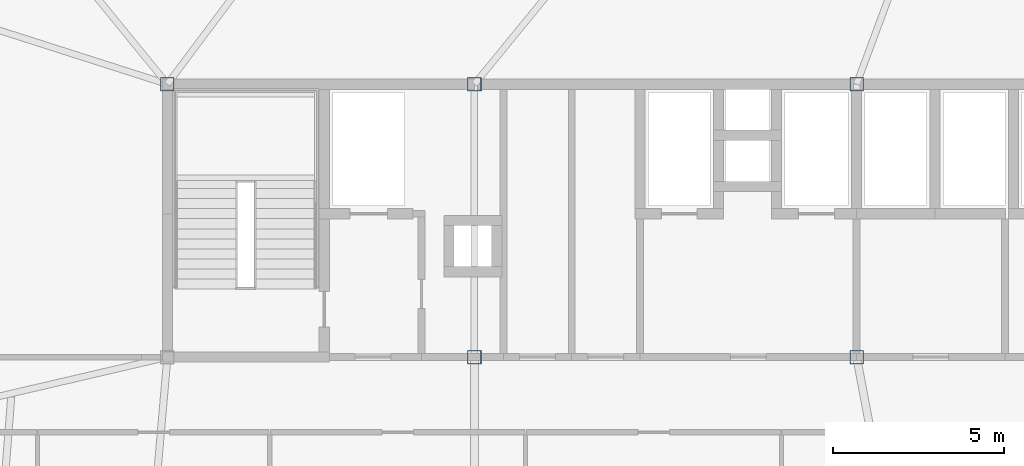
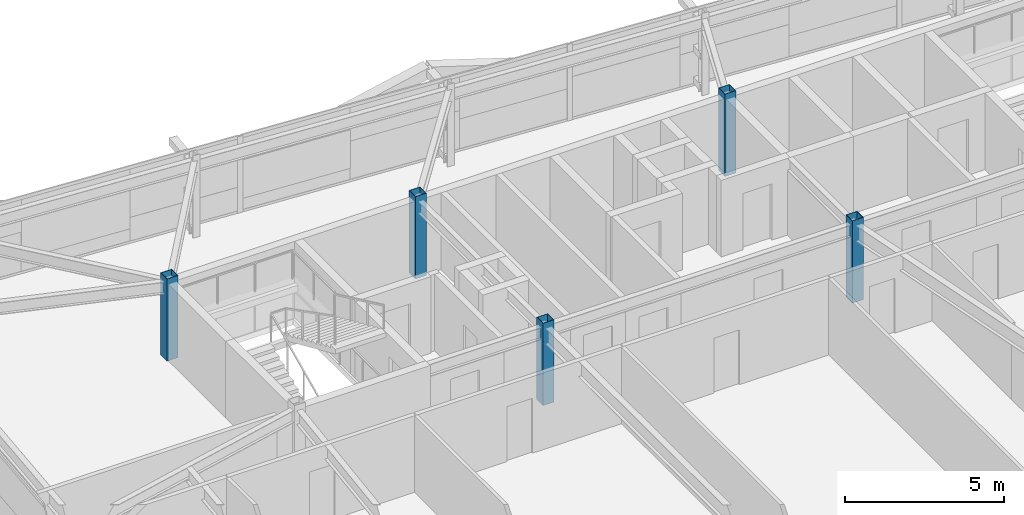
# One storey, part 2 of 39: 5 columns.
"""IFC4 building model written with IfcOpenShell, lengths in metres."""

import ifcopenshell
import ifcopenshell.guid

model = None  # the IFC model being written
_history = None  # IfcOwnerHistory: only IFC2X3 demands one
_inside = {}  # id of a spatial element -> (the spatial element, [elements in it])
_under = {}  # id of a project, library or spatial element -> (it, [spatial elements below it])
_declared = {}  # id of a project -> (the project, [libraries it declares])
_typed = {}  # id of a type object -> (the type object, [elements of that type])
_made_of = {}  # id of a material, layer set ... -> (it, [elements and type objects made of it])


def new_model(schema):
    """Start an empty IFC model of exactly this schema.

    Asked for "IFC4X3", IfcOpenShell would pick the latest addendum, in which some entities
    have other attributes; the version numbers below select the first issue.
    IFC2X3 requires an IfcOwnerHistory on every rooted entity: one is made here for all.
    """
    global model, _history
    if schema == "IFC4X3":
        model = ifcopenshell.file(schema_version=(4, 3, 0, 0))
    else:
        model = ifcopenshell.file(schema=schema)
    _inside.clear()
    _under.clear()
    _declared.clear()
    _typed.clear()
    _made_of.clear()
    _history = None
    if model.schema == "IFC2X3":
        org = make("IfcOrganization", Name="unknown")
        user = make(
            "IfcPersonAndOrganization",
            ThePerson=make("IfcPerson", FamilyName="unknown"),
            TheOrganization=org,
        )
        app = make(
            "IfcApplication",
            ApplicationDeveloper=org,
            Version="unknown",
            ApplicationFullName="unknown",
            ApplicationIdentifier="unknown",
        )
        _history = make(
            "IfcOwnerHistory",
            OwningUser=user,
            OwningApplication=app,
            ChangeAction="ADDED",
            CreationDate=0,
        )
    return model


def make(cls, **values):
    """One entity of the class cls with the attributes given. An attribute that is None is left unset."""
    return model.create_entity(
        cls, **{name: value for name, value in values.items() if value is not None}
    )


def rooted(cls, **values):
    """An entity with a GlobalId (a new one), such as an element, a storey or a relation."""
    return make(cls, GlobalId=ifcopenshell.guid.new(), OwnerHistory=_history, **values)


def si_unit(unit_type, name, prefix=None):
    """IfcSIUnit, for example si_unit("LENGTHUNIT", "METRE", prefix="MILLI")."""
    return make("IfcSIUnit", UnitType=unit_type, Prefix=prefix, Name=name)


def assignment(units):
    """IfcUnitAssignment: the units of a project."""
    return None if units is None else make("IfcUnitAssignment", Units=units)


def point(xyz):
    """IfcCartesianPoint."""
    return None if xyz is None else make("IfcCartesianPoint", Coordinates=xyz)


def direction(xyz):
    """IfcDirection."""
    return None if xyz is None else make("IfcDirection", DirectionRatios=xyz)


def frame(location, z_axis=None, x_axis=None):
    """IfcAxis2Placement3D, a coordinate frame: its origin and axes. An axis left out is left unset."""
    return make(
        "IfcAxis2Placement3D",
        Location=point(location),
        Axis=direction(z_axis),
        RefDirection=direction(x_axis),
    )


def frame_2d(location, x_axis=None):
    """IfcAxis2Placement2D, a coordinate frame in the plane: its origin and x axis."""
    return make(
        "IfcAxis2Placement2D", Location=point(location), RefDirection=direction(x_axis)
    )


def origin():
    """The frame at (0, 0, 0) with its axes left unset."""
    return frame((0.0, 0.0, 0.0))


def origin_2d():
    """The frame at (0, 0) in the plane with its x axis left unset."""
    return frame_2d((0.0, 0.0))


def place(relative_to, where):
    """IfcLocalPlacement: puts the frame where relative to a parent placement (None: the world)."""
    return make(
        "IfcLocalPlacement", PlacementRelTo=relative_to, RelativePlacement=where
    )


def context(
    kind, dimensions, precision=None, world=None, true_north=None, identifier=None
):
    """IfcGeometricRepresentationContext, for example the 3D "Model" context."""
    return make(
        "IfcGeometricRepresentationContext",
        ContextIdentifier=identifier,
        ContextType=kind,
        CoordinateSpaceDimension=dimensions,
        Precision=precision,
        WorldCoordinateSystem=world,
        TrueNorth=true_north,
    )


def subcontext(parent, identifier, kind, view, scale=None):
    """IfcGeometricRepresentationSubContext, for example "Body" below "Model"."""
    return make(
        "IfcGeometricRepresentationSubContext",
        ContextIdentifier=identifier,
        ContextType=kind,
        ParentContext=parent,
        TargetScale=scale,
        TargetView=view,
    )


def project(units=None, contexts=None):
    """IfcProject with its units and contexts."""
    return rooted(
        "IfcProject",
        Name="project",
        RepresentationContexts=contexts,
        UnitsInContext=assignment(units),
    )


def spatial(cls, under=None, at=None, **own):
    """A site, building, storey or space (cls), placed at a placement, below another one or the project."""
    s = rooted(cls, ObjectPlacement=at, **own)
    if under is not None:
        _under.setdefault(under.id(), (under, []))[1].append(s)
    return s


def profile(cls, at=None, kind="AREA", **sizes):
    """A parametric profile (cls). Its sizes go by their IFC names, for example OverallWidth=200.0."""
    return make(cls, ProfileType=kind, Position=at, **sizes)


def hollow_rectangle(**sizes):
    """IfcRectangleHollowProfileDef."""
    return profile("IfcRectangleHollowProfileDef", **sizes)


def extrude(swept, where, along, depth):
    """IfcExtrudedAreaSolid: the profile swept, set in the frame where, extruded along a direction by depth."""
    return make(
        "IfcExtrudedAreaSolid",
        SweptArea=swept,
        Position=where,
        ExtrudedDirection=direction(along),
        Depth=depth,
    )


def shape(context_of_items, identifier, shape_type, items):
    """IfcShapeRepresentation: the items that make up one representation, for example the "Body"."""
    return make(
        "IfcShapeRepresentation",
        ContextOfItems=context_of_items,
        RepresentationIdentifier=identifier,
        RepresentationType=shape_type,
        Items=items,
    )


def source(mapping_origin, context_of_items, identifier, shape_type, items):
    """IfcRepresentationMap: a shape defined once, which mapped items show again and again."""
    return make(
        "IfcRepresentationMap",
        MappingOrigin=mapping_origin,
        MappedRepresentation=shape(context_of_items, identifier, shape_type, items),
    )


def transform(
    local_origin,
    x_axis=None,
    y_axis=None,
    z_axis=None,
    scale=None,
    scale2=None,
    scale3=None,
    uniform=True,
):
    """IfcCartesianTransformationOperator3D, or its non-uniform kind. x_axis, y_axis, z_axis: its Axis1, 2, 3."""
    if uniform:
        return make(
            "IfcCartesianTransformationOperator3D",
            Axis1=direction(x_axis),
            Axis2=direction(y_axis),
            LocalOrigin=point(local_origin),
            Scale=scale,
            Axis3=direction(z_axis),
        )
    return make(
        "IfcCartesianTransformationOperator3DnonUniform",
        Axis1=direction(x_axis),
        Axis2=direction(y_axis),
        LocalOrigin=point(local_origin),
        Scale=scale,
        Axis3=direction(z_axis),
        Scale2=scale2,
        Scale3=scale3,
    )


def mapped(mapping_source, mapping_target):
    """IfcMappedItem: shows the shape of a source again, moved by a transform."""
    return make(
        "IfcMappedItem", MappingSource=mapping_source, MappingTarget=mapping_target
    )


def material(Name=None, Category=None):
    """IfcMaterial."""
    return make("IfcMaterial", Name=Name, Category=Category)


def material_profile(
    of_material, cross_section, Name=None, Category=None, Priority=None
):
    """IfcMaterialProfile: a cross section and its material."""
    return make(
        "IfcMaterialProfile",
        Name=Name,
        Material=of_material,
        Profile=cross_section,
        Priority=Priority,
        Category=Category,
    )


def profile_set(profiles, Name=None, composite=None):
    """IfcMaterialProfileSet."""
    return make(
        "IfcMaterialProfileSet",
        Name=Name,
        MaterialProfiles=profiles,
        CompositeProfile=composite,
    )


def made_of(thing, what):
    """Note that an element or type object is made of a material, layer set ...; save() writes the relation."""
    if what is not None:
        _made_of.setdefault(what.id(), (what, []))[1].append(thing)
    return thing


def type_object(cls, material=None, **own):
    """A type object (cls), such as IfcWallType, which elements share."""
    return made_of(rooted(cls, **own), material)


def element(
    cls,
    number,
    at=None,
    inside=None,
    cuts=None,
    type_object=None,
    material=None,
    context=None,
    identifier="Body",
    shape_type=None,
    held_by="IfcProductDefinitionShape",
    body=None,
    shapes=None,
    **own,
):
    """One element of the class cls, such as IfcWall. Its Tag is "e" and its number.

    at: its placement. inside: the storey or other place that contains it. cuts: it is an
    opening in that element (IfcRelVoidsElement). A single representation is given by context,
    identifier, shape_type and body (its items); several are given by shapes. held_by: the class
    of the entity that holds the representations. save() writes the other relations.
    """
    e = rooted(cls, Tag="e%d" % number, ObjectPlacement=at, **own)
    if body is not None:
        shapes = [shape(context, identifier, shape_type, body)]
    if shapes is not None:
        e.Representation = make(held_by, Representations=shapes)
    if inside is not None:
        _inside.setdefault(inside.id(), (inside, []))[1].append(e)
    if cuts is not None:
        rooted(
            "IfcRelVoidsElement", RelatingBuildingElement=cuts, RelatedOpeningElement=e
        )
    if type_object is not None:
        _typed.setdefault(type_object.id(), (type_object, []))[1].append(e)
    return made_of(e, material)


def aggregate(whole, parts):
    """IfcRelAggregates: a whole, such as a stair, and the parts it consists of."""
    return rooted("IfcRelAggregates", RelatingObject=whole, RelatedObjects=parts)


def save(model, path):
    """Write the relations noted so far, then the file.

    IfcRelAggregates (storeys below a building ...), IfcRelContainedInSpatialStructure (elements
    in a storey), IfcRelDefinesByType, IfcRelAssociatesMaterial and IfcRelDeclares: one each for
    every whole, place, type object, material and project.
    """
    for whole, parts in _under.values():
        aggregate(whole, parts)
    for where, things in _inside.values():
        rooted(
            "IfcRelContainedInSpatialStructure",
            RelatedElements=things,
            RelatingStructure=where,
        )
    for kind, things in _typed.values():
        rooted("IfcRelDefinesByType", RelatedObjects=things, RelatingType=kind)
    for what, things in _made_of.values():
        rooted("IfcRelAssociatesMaterial", RelatedObjects=things, RelatingMaterial=what)
    for by, libraries in _declared.values():
        rooted("IfcRelDeclares", RelatingContext=by, RelatedDefinitions=libraries)
    model.write(path)


model = new_model("IFC4")

# Units and contexts
model_context = context("Model", 3, precision=1e-05, world=origin(), true_north=direction((0.0, 1.0)))
body_context = subcontext(model_context, "Body", "Model", "MODEL_VIEW")
ifc_project = project(units=[si_unit("LENGTHUNIT", "METRE"), si_unit("AREAUNIT", "SQUARE_METRE"), si_unit("VOLUMEUNIT", "CUBIC_METRE"), si_unit("PLANEANGLEUNIT", "RADIAN"), si_unit("MASSUNIT", "GRAM", prefix="KILO")], contexts=[model_context])

# Site, building, storey
site_placement = place(None, origin())
site = spatial("IfcSite", under=ifc_project, at=site_placement, CompositionType="ELEMENT")
building_placement = place(site_placement, origin())
building = spatial("IfcBuilding", under=site, at=building_placement, Name="Taldren Reach Tower", CompositionType="ELEMENT")
storey_placement = place(building_placement, frame((0.0, 0.0, 136.14990234375)))
storey = spatial("IfcBuildingStorey", under=building, at=storey_placement, Name="L41", CompositionType="ELEMENT", Elevation=136.14990234375)

# Columns
ifc_material = material(Name="Steel Gr 450 (C450L0)", Category="steel")
ifc_material_profile = material_profile(ifc_material, hollow_rectangle(XDim=0.39990234375, YDim=0.39990234375, WallThickness=0.01611328125, at=origin_2d()), Name="400x400x16.0SHS")
ifc_profile_set = profile_set([ifc_material_profile], Name="Steel Gr 450 (C450L0)")
column_type = type_object("IfcColumnType", Name="COL-SHS400", PredefinedType="COLUMN", material=ifc_profile_set)
shared_shape = source(origin(), body_context, "Body", "SweptSolid", [
    extrude(hollow_rectangle(XDim=0.39990234375, YDim=0.39990234375, WallThickness=0.01611328125, at=origin_2d()), origin(), (0.0, 0.0, 1.0), 3.150146484375),
])
for number, where, z_axis, x_axis, name in (
    (1, (28.0, 24.0, 0.0), (0.0, 0.0, 1.0), (1.0, 0.0, 0.0), "Mega column MC-C2 L41"),
    (2, (39.199951171875, 24.0, 0.0), (0.0, 0.0, 1.0), (1.0, 0.0, 0.0), "Mega column MC-C3 L41"),
    (3, (19.0, 32.0, 0.0), (0.0, 0.0, 1.0), (1.0, 0.0, 0.0), "Mega column MC-C5 L41"),
    (4, (28.0, 32.0, 0.0), (0.0, 0.0, 1.0), (1.0, 0.0, 0.0), "Mega column MC-C6 L41"),
    (5, (39.199951171875, 32.0, 0.0), (0.0, 0.0, 1.0), (1.0, 0.0, 0.0), "Mega column MC-C7 L41"),
):
    element("IfcColumn", number, at=place(storey_placement, frame(where, z_axis=z_axis, x_axis=x_axis)), inside=storey, type_object=column_type, Name=name, PredefinedType="COLUMN", context=body_context, shape_type="MappedRepresentation", body=[
        mapped(shared_shape, transform((0.0, 0.0, 0.0), scale=1.0)),
    ])

save(model, "model.ifc")
